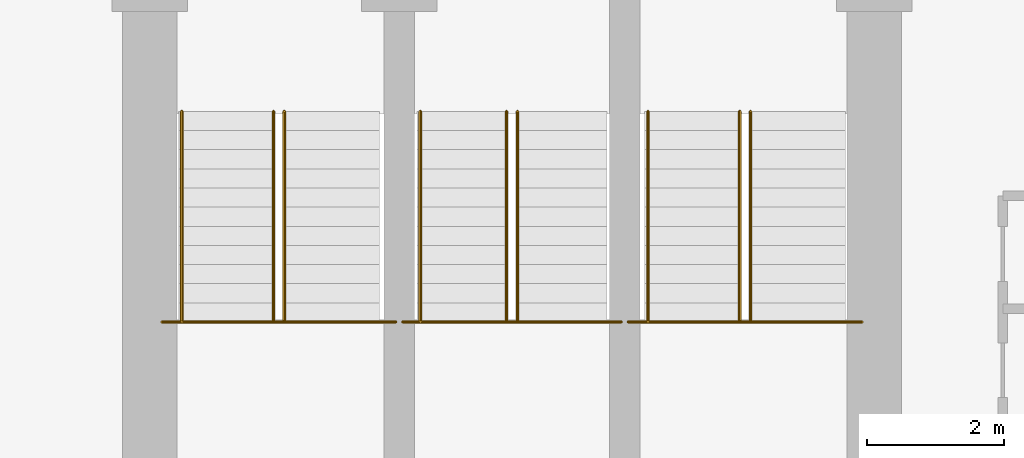
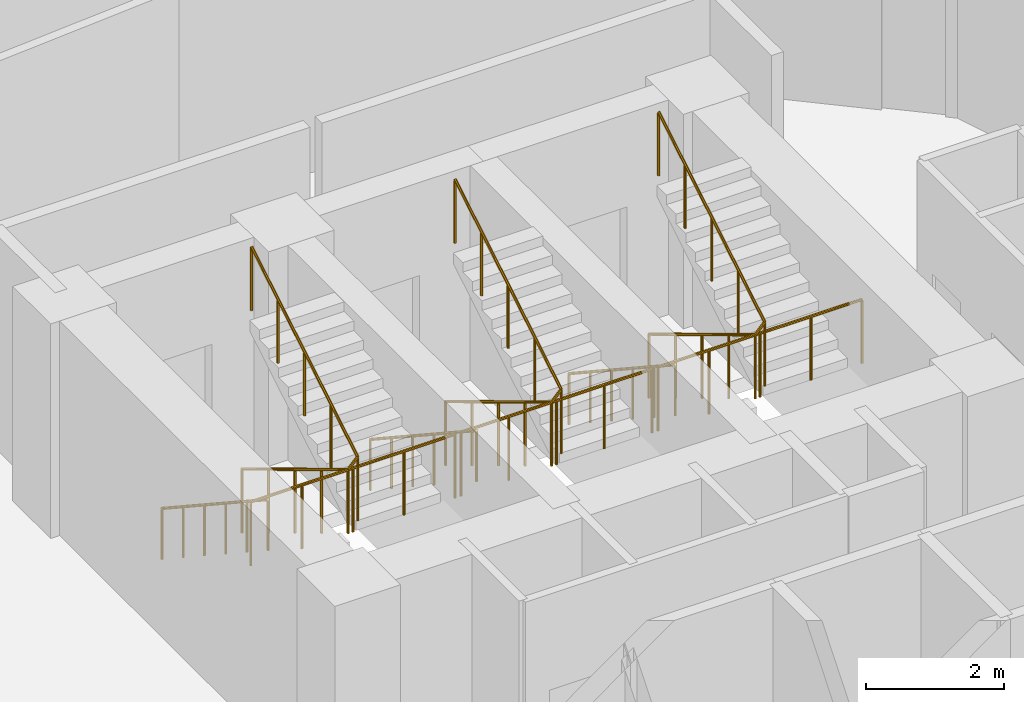
# One storey, part 25 of 25: 9 railings.
"""IFC4 building model written with IfcOpenShell, lengths in metres."""

from ifc_helpers import new_model, si_unit, direction, frame, origin, place, context, subcontext, project, spatial, polyline, outline, extrude, material, type_object, element, save


model = new_model("IFC4")

# Units and contexts
model_context = context("Model", 3, precision=1e-05, world=origin(), true_north=direction((0.0, 1.0)))
body_context = subcontext(model_context, "Body", "Model", "MODEL_VIEW")
ifc_project = project(units=[si_unit("LENGTHUNIT", "METRE"), si_unit("AREAUNIT", "SQUARE_METRE"), si_unit("VOLUMEUNIT", "CUBIC_METRE"), si_unit("PLANEANGLEUNIT", "RADIAN"), si_unit("MASSUNIT", "GRAM", prefix="KILO")], contexts=[model_context])

# Site, building, storey
site_placement = place(None, origin())
site = spatial("IfcSite", under=ifc_project, at=site_placement, CompositionType="ELEMENT")
building_placement = place(site_placement, origin())
building = spatial("IfcBuilding", under=site, at=building_placement, Name="Nuhasar Tower", CompositionType="ELEMENT")
storey_placement = place(building_placement, frame((0.0, 0.0, 61.5)))
storey = spatial("IfcBuildingStorey", under=building, at=storey_placement, Name="L14", CompositionType="ELEMENT", Elevation=61.5)

# Railings
ifc_material_1 = material(Name="Steel S355", Category="steel")
railing_type_1 = type_object("IfcRailingType", Name="RLG-STAIR-GUARD-1150", PredefinedType="GUARDRAIL", material=ifc_material_1)
railing_1_placement = place(storey_placement, frame((33.8798828125, 32.205078125, 2.02490234375)))
element("IfcRailing", 1, at=railing_1_placement, inside=storey, type_object=railing_type_1, Name="L14 Stair ST-01 Guardrail LND", PredefinedType="GUARDRAIL", context=body_context, shape_type="SweptSolid", body=[
    extrude(outline(polyline([(0.024169921875, 0.0), (0.01708984375, 0.01708984375), (0.0, 0.024169921875), (-0.01708984375, 0.01708984375), (-0.024169921875, 0.0), (-0.01708984375, -0.01708984375), (0.0, -0.024169921875), (0.01708984375, -0.01708984375), (0.024169921875, 0.0)])), frame((0.0, 0.0, 1.1259765625), z_axis=(1.0, 0.0, 0.0), x_axis=(0.0, 1.0, 0.0)), (0.0, 0.0, 1.0), 3.420166015625),
    extrude(outline(polyline([(0.02099609375, 0.0), (0.014892578125, 0.014892578125), (0.0, 0.02099609375), (-0.014892578125, 0.014892578125), (-0.02099609375, 0.0), (-0.014892578125, -0.014892578125), (0.0, -0.02099609375), (0.014892578125, -0.014892578125), (0.02099609375, 0.0)])), origin(), (0.0, 0.0, 1.0), 1.101806640625),
    extrude(outline(polyline([(0.02099609375, 0.0), (0.014892578125, 0.014892578125), (0.0, 0.02099609375), (-0.014892578125, 0.014892578125), (-0.02099609375, 0.0), (-0.014892578125, -0.014892578125), (0.0, -0.02099609375), (0.014892578125, -0.014892578125), (0.02099609375, 0.0)])), frame((0.85498046875, 0.0, 0.0)), (0.0, 0.0, 1.0), 1.101806640625),
    extrude(outline(polyline([(0.02099609375, 0.0), (0.014892578125, 0.014892578125), (0.0, 0.02099609375), (-0.014892578125, 0.014892578125), (-0.02099609375, 0.0), (-0.014892578125, -0.014892578125), (0.0, -0.02099609375), (0.014892578125, -0.014892578125), (0.02099609375, 0.0)])), frame((1.7099609375, 0.0, 0.0)), (0.0, 0.0, 1.0), 1.101806640625),
    extrude(outline(polyline([(0.02099609375, 0.0), (0.014892578125, 0.014892578125), (0.0, 0.02099609375), (-0.014892578125, 0.014892578125), (-0.02099609375, 0.0), (-0.014892578125, -0.014892578125), (0.0, -0.02099609375), (0.014892578125, -0.014892578125), (0.02099609375, 0.0)])), frame((2.565185546875, 0.0, 0.0)), (0.0, 0.0, 1.0), 1.101806640625),
    extrude(outline(polyline([(0.02099609375, 0.0), (0.014892578125, 0.014892578125), (0.0, 0.02099609375), (-0.014892578125, 0.014892578125), (-0.02099609375, 0.0), (-0.014892578125, -0.014892578125), (0.0, -0.02099609375), (0.014892578125, -0.014892578125), (0.02099609375, 0.0)])), frame((3.420166015625, 0.0, 0.0)), (0.0, 0.0, 1.0), 1.101806640625),
])
railing_2_placement = place(storey_placement, frame((35.510009765625, 35.284912109375, 0.1689453125)))
element("IfcRailing", 2, at=railing_2_placement, inside=storey, type_object=railing_type_1, Name="L14 Stair ST-01 Guardrail SLT", PredefinedType="GUARDRAIL", context=body_context, shape_type="SweptSolid", body=[
    extrude(outline(polyline([(0.024169921875, 0.0), (0.01708984375, 0.01708984375), (0.0, 0.024169921875), (-0.01708984375, 0.01708984375), (-0.024169921875, 0.0), (-0.01708984375, -0.01708984375), (0.0, -0.024169921875), (0.01708984375, -0.01708984375), (0.024169921875, 0.0)])), frame((0.0, 0.0, 1.1259765625), z_axis=(0.0, -0.856502863198, 0.516142272377), x_axis=(1.0, 0.0, 0.0)), (0.0, 0.0, 1.0), 3.595703125),
    extrude(outline(polyline([(0.024169921875, 0.0), (0.01708984375, 0.01708984375), (0.0, 0.024169921875), (-0.01708984375, 0.01708984375), (-0.024169921875, 0.0), (-0.01708984375, -0.01708984375), (0.0, -0.024169921875), (0.01708984375, -0.01708984375), (0.024169921875, 0.0)])), frame((0.0, -3.079833984375, 2.98193359375), z_axis=(0.686900628141, 0.0, 0.726751351605), x_axis=(0.0, 1.0, 0.0)), (0.0, 0.0, 1.0), 0.23291015625),
    extrude(outline(polyline([(0.024169921875, 0.0), (0.01708984375, 0.01708984375), (0.0, 0.024169921875), (-0.01708984375, 0.01708984375), (-0.024169921875, 0.0), (-0.01708984375, -0.01708984375), (0.0, -0.024169921875), (0.01708984375, -0.01708984375), (0.024169921875, 0.0)])), frame((0.159912109375, -3.079833984375, 3.15087890625), z_axis=(0.0, 0.856502863198, 0.516142272377), x_axis=(-1.0, 0.0, 0.0)), (0.0, 0.0, 1.0), 3.595703125),
    extrude(outline(polyline([(0.02099609375, 0.0), (0.014892578125, 0.014892578125), (0.0, 0.02099609375), (-0.014892578125, 0.014892578125), (-0.02099609375, 0.0), (-0.014892578125, -0.014892578125), (0.0, -0.02099609375), (0.014892578125, -0.014892578125), (0.02099609375, 0.0)])), origin(), (0.0, 0.0, 1.0), 1.101806640625),
    extrude(outline(polyline([(0.02099609375, 0.0), (0.014892578125, 0.014892578125), (0.0, 0.02099609375), (-0.014892578125, 0.014892578125), (-0.02099609375, 0.0), (-0.014892578125, -0.014892578125), (0.0, -0.02099609375), (0.014892578125, -0.014892578125), (0.02099609375, 0.0)])), frame((0.0, -0.77001953125, 0.4638671875)), (0.0, 0.0, 1.0), 1.101806640625),
    extrude(outline(polyline([(0.02099609375, 0.0), (0.014892578125, 0.014892578125), (0.0, 0.02099609375), (-0.014892578125, 0.014892578125), (-0.02099609375, 0.0), (-0.014892578125, -0.014892578125), (0.0, -0.02099609375), (0.014892578125, -0.014892578125), (0.02099609375, 0.0)])), frame((0.0, -1.5400390625, 0.927978515625)), (0.0, 0.0, 1.0), 1.101806640625),
    extrude(outline(polyline([(0.02099609375, 0.0), (0.014892578125, 0.014892578125), (0.0, 0.02099609375), (-0.014892578125, 0.014892578125), (-0.02099609375, 0.0), (-0.014892578125, -0.014892578125), (0.0, -0.02099609375), (0.014892578125, -0.014892578125), (0.02099609375, 0.0)])), frame((0.0, -2.309814453125, 1.39208984375)), (0.0, 0.0, 1.0), 1.101806640625),
    extrude(outline(polyline([(0.02099609375, 0.0), (0.014892578125, 0.014892578125), (0.0, 0.02099609375), (-0.014892578125, 0.014892578125), (-0.02099609375, 0.0), (-0.014892578125, -0.014892578125), (0.0, -0.02099609375), (0.014892578125, -0.014892578125), (0.02099609375, 0.0)])), frame((0.0, -3.079833984375, 1.85595703125)), (0.0, 0.0, 1.0), 1.101806640625),
    extrude(outline(polyline([(0.02099609375, 0.0), (0.014892578125, 0.014892578125), (0.0, 0.02099609375), (-0.014892578125, 0.014892578125), (-0.02099609375, 0.0), (-0.014892578125, -0.014892578125), (0.0, -0.02099609375), (0.014892578125, -0.014892578125), (0.02099609375, 0.0)])), frame((0.159912109375, -3.079833984375, 2.025146484375)), (0.0, 0.0, 1.0), 1.101806640625),
    extrude(outline(polyline([(0.02099609375, 0.0), (0.014892578125, 0.014892578125), (0.0, 0.02099609375), (-0.014892578125, 0.014892578125), (-0.02099609375, 0.0), (-0.014892578125, -0.014892578125), (0.0, -0.02099609375), (0.014892578125, -0.014892578125), (0.02099609375, 0.0)])), frame((0.159912109375, -2.309814453125, 2.4892578125)), (0.0, 0.0, 1.0), 1.101806640625),
    extrude(outline(polyline([(0.02099609375, 0.0), (0.014892578125, 0.014892578125), (0.0, 0.02099609375), (-0.014892578125, 0.014892578125), (-0.02099609375, 0.0), (-0.014892578125, -0.014892578125), (0.0, -0.02099609375), (0.014892578125, -0.014892578125), (0.02099609375, 0.0)])), frame((0.159912109375, -1.5400390625, 2.953125)), (0.0, 0.0, 1.0), 1.101806640625),
    extrude(outline(polyline([(0.02099609375, 0.0), (0.014892578125, 0.014892578125), (0.0, 0.02099609375), (-0.014892578125, 0.014892578125), (-0.02099609375, 0.0), (-0.014892578125, -0.014892578125), (0.0, -0.02099609375), (0.014892578125, -0.014892578125), (0.02099609375, 0.0)])), frame((0.159912109375, -0.77001953125, 3.4169921875)), (0.0, 0.0, 1.0), 1.101806640625),
    extrude(outline(polyline([(0.02099609375, 0.0), (0.014892578125, 0.014892578125), (0.0, 0.02099609375), (-0.014892578125, 0.014892578125), (-0.02099609375, 0.0), (-0.014892578125, -0.014892578125), (0.0, -0.02099609375), (0.014892578125, -0.014892578125), (0.02099609375, 0.0)])), frame((0.159912109375, 0.0, 3.881103515625)), (0.0, 0.0, 1.0), 1.101806640625),
])
railing_3_placement = place(storey_placement, frame((37.39990234375, 32.205078125, 2.02490234375)))
element("IfcRailing", 3, at=railing_3_placement, inside=storey, type_object=railing_type_1, Name="L14 Stair ST-03 Guardrail LND", PredefinedType="GUARDRAIL", context=body_context, shape_type="SweptSolid", body=[
    extrude(outline(polyline([(0.024169921875, 0.0), (0.01708984375, 0.01708984375), (0.0, 0.024169921875), (-0.01708984375, 0.01708984375), (-0.024169921875, 0.0), (-0.01708984375, -0.01708984375), (0.0, -0.024169921875), (0.01708984375, -0.01708984375), (0.024169921875, 0.0)])), frame((0.0, 0.0, 1.1259765625), z_axis=(1.0, 0.0, 0.0), x_axis=(0.0, 1.0, 0.0)), (0.0, 0.0, 1.0), 3.2001953125),
    extrude(outline(polyline([(0.02099609375, 0.0), (0.014892578125, 0.014892578125), (0.0, 0.02099609375), (-0.014892578125, 0.014892578125), (-0.02099609375, 0.0), (-0.014892578125, -0.014892578125), (0.0, -0.02099609375), (0.014892578125, -0.014892578125), (0.02099609375, 0.0)])), origin(), (0.0, 0.0, 1.0), 1.101806640625),
    extrude(outline(polyline([(0.02099609375, 0.0), (0.014892578125, 0.014892578125), (0.0, 0.02099609375), (-0.014892578125, 0.014892578125), (-0.02099609375, 0.0), (-0.014892578125, -0.014892578125), (0.0, -0.02099609375), (0.014892578125, -0.014892578125), (0.02099609375, 0.0)])), frame((0.800048828125, 0.0, 0.0)), (0.0, 0.0, 1.0), 1.101806640625),
    extrude(outline(polyline([(0.02099609375, 0.0), (0.014892578125, 0.014892578125), (0.0, 0.02099609375), (-0.014892578125, 0.014892578125), (-0.02099609375, 0.0), (-0.014892578125, -0.014892578125), (0.0, -0.02099609375), (0.014892578125, -0.014892578125), (0.02099609375, 0.0)])), frame((1.60009765625, 0.0, 0.0)), (0.0, 0.0, 1.0), 1.101806640625),
    extrude(outline(polyline([(0.02099609375, 0.0), (0.014892578125, 0.014892578125), (0.0, 0.02099609375), (-0.014892578125, 0.014892578125), (-0.02099609375, 0.0), (-0.014892578125, -0.014892578125), (0.0, -0.02099609375), (0.014892578125, -0.014892578125), (0.02099609375, 0.0)])), frame((2.400146484375, 0.0, 0.0)), (0.0, 0.0, 1.0), 1.101806640625),
    extrude(outline(polyline([(0.02099609375, 0.0), (0.014892578125, 0.014892578125), (0.0, 0.02099609375), (-0.014892578125, 0.014892578125), (-0.02099609375, 0.0), (-0.014892578125, -0.014892578125), (0.0, -0.02099609375), (0.014892578125, -0.014892578125), (0.02099609375, 0.0)])), frame((3.2001953125, 0.0, 0.0)), (0.0, 0.0, 1.0), 1.101806640625),
])
railing_4_placement = place(storey_placement, frame((38.919921875, 35.284912109375, 0.1689453125)))
element("IfcRailing", 4, at=railing_4_placement, inside=storey, type_object=railing_type_1, Name="L14 Stair ST-03 Guardrail SLT", PredefinedType="GUARDRAIL", context=body_context, shape_type="SweptSolid", body=[
    extrude(outline(polyline([(0.024169921875, 0.0), (0.01708984375, 0.01708984375), (0.0, 0.024169921875), (-0.01708984375, 0.01708984375), (-0.024169921875, 0.0), (-0.01708984375, -0.01708984375), (0.0, -0.024169921875), (0.01708984375, -0.01708984375), (0.024169921875, 0.0)])), frame((0.0, 0.0, 1.1259765625), z_axis=(0.0, -0.856502863198, 0.516142272377), x_axis=(1.0, 0.0, 0.0)), (0.0, 0.0, 1.0), 3.595703125),
    extrude(outline(polyline([(0.024169921875, 0.0), (0.01708984375, 0.01708984375), (0.0, 0.024169921875), (-0.01708984375, 0.01708984375), (-0.024169921875, 0.0), (-0.01708984375, -0.01708984375), (0.0, -0.024169921875), (0.01708984375, -0.01708984375), (0.024169921875, 0.0)])), frame((0.0, -3.079833984375, 2.98193359375), z_axis=(0.687453921059, 0.0, 0.726227998924), x_axis=(0.0, 1.0, 0.0)), (0.0, 0.0, 1.0), 0.23291015625),
    extrude(outline(polyline([(0.024169921875, 0.0), (0.01708984375, 0.01708984375), (0.0, 0.024169921875), (-0.01708984375, 0.01708984375), (-0.024169921875, 0.0), (-0.01708984375, -0.01708984375), (0.0, -0.024169921875), (0.01708984375, -0.01708984375), (0.024169921875, 0.0)])), frame((0.16015625, -3.079833984375, 3.15087890625), z_axis=(0.0, 0.856502863198, 0.516142272377), x_axis=(-1.0, 0.0, 0.0)), (0.0, 0.0, 1.0), 3.595703125),
    extrude(outline(polyline([(0.02099609375, 0.0), (0.014892578125, 0.014892578125), (0.0, 0.02099609375), (-0.014892578125, 0.014892578125), (-0.02099609375, 0.0), (-0.014892578125, -0.014892578125), (0.0, -0.02099609375), (0.014892578125, -0.014892578125), (0.02099609375, 0.0)])), origin(), (0.0, 0.0, 1.0), 1.101806640625),
    extrude(outline(polyline([(0.02099609375, 0.0), (0.014892578125, 0.014892578125), (0.0, 0.02099609375), (-0.014892578125, 0.014892578125), (-0.02099609375, 0.0), (-0.014892578125, -0.014892578125), (0.0, -0.02099609375), (0.014892578125, -0.014892578125), (0.02099609375, 0.0)])), frame((0.0, -0.77001953125, 0.4638671875)), (0.0, 0.0, 1.0), 1.101806640625),
    extrude(outline(polyline([(0.02099609375, 0.0), (0.014892578125, 0.014892578125), (0.0, 0.02099609375), (-0.014892578125, 0.014892578125), (-0.02099609375, 0.0), (-0.014892578125, -0.014892578125), (0.0, -0.02099609375), (0.014892578125, -0.014892578125), (0.02099609375, 0.0)])), frame((0.0, -1.5400390625, 0.927978515625)), (0.0, 0.0, 1.0), 1.101806640625),
    extrude(outline(polyline([(0.02099609375, 0.0), (0.014892578125, 0.014892578125), (0.0, 0.02099609375), (-0.014892578125, 0.014892578125), (-0.02099609375, 0.0), (-0.014892578125, -0.014892578125), (0.0, -0.02099609375), (0.014892578125, -0.014892578125), (0.02099609375, 0.0)])), frame((0.0, -2.309814453125, 1.39208984375)), (0.0, 0.0, 1.0), 1.101806640625),
    extrude(outline(polyline([(0.02099609375, 0.0), (0.014892578125, 0.014892578125), (0.0, 0.02099609375), (-0.014892578125, 0.014892578125), (-0.02099609375, 0.0), (-0.014892578125, -0.014892578125), (0.0, -0.02099609375), (0.014892578125, -0.014892578125), (0.02099609375, 0.0)])), frame((0.0, -3.079833984375, 1.85595703125)), (0.0, 0.0, 1.0), 1.101806640625),
    extrude(outline(polyline([(0.02099609375, 0.0), (0.014892578125, 0.014892578125), (0.0, 0.02099609375), (-0.014892578125, 0.014892578125), (-0.02099609375, 0.0), (-0.014892578125, -0.014892578125), (0.0, -0.02099609375), (0.014892578125, -0.014892578125), (0.02099609375, 0.0)])), frame((0.16015625, -3.079833984375, 2.025146484375)), (0.0, 0.0, 1.0), 1.101806640625),
    extrude(outline(polyline([(0.02099609375, 0.0), (0.014892578125, 0.014892578125), (0.0, 0.02099609375), (-0.014892578125, 0.014892578125), (-0.02099609375, 0.0), (-0.014892578125, -0.014892578125), (0.0, -0.02099609375), (0.014892578125, -0.014892578125), (0.02099609375, 0.0)])), frame((0.16015625, -2.309814453125, 2.4892578125)), (0.0, 0.0, 1.0), 1.101806640625),
    extrude(outline(polyline([(0.02099609375, 0.0), (0.014892578125, 0.014892578125), (0.0, 0.02099609375), (-0.014892578125, 0.014892578125), (-0.02099609375, 0.0), (-0.014892578125, -0.014892578125), (0.0, -0.02099609375), (0.014892578125, -0.014892578125), (0.02099609375, 0.0)])), frame((0.16015625, -1.5400390625, 2.953125)), (0.0, 0.0, 1.0), 1.101806640625),
    extrude(outline(polyline([(0.02099609375, 0.0), (0.014892578125, 0.014892578125), (0.0, 0.02099609375), (-0.014892578125, 0.014892578125), (-0.02099609375, 0.0), (-0.014892578125, -0.014892578125), (0.0, -0.02099609375), (0.014892578125, -0.014892578125), (0.02099609375, 0.0)])), frame((0.16015625, -0.77001953125, 3.4169921875)), (0.0, 0.0, 1.0), 1.101806640625),
    extrude(outline(polyline([(0.02099609375, 0.0), (0.014892578125, 0.014892578125), (0.0, 0.02099609375), (-0.014892578125, 0.014892578125), (-0.02099609375, 0.0), (-0.014892578125, -0.014892578125), (0.0, -0.02099609375), (0.014892578125, -0.014892578125), (0.02099609375, 0.0)])), frame((0.16015625, 0.0, 3.881103515625)), (0.0, 0.0, 1.0), 1.101806640625),
])
railing_5_placement = place(storey_placement, frame((40.699951171875, 32.205078125, 2.02490234375)))
element("IfcRailing", 5, at=railing_5_placement, inside=storey, type_object=railing_type_1, Name="L14 Stair ST-02 Guardrail LND", PredefinedType="GUARDRAIL", context=body_context, shape_type="SweptSolid", body=[
    extrude(outline(polyline([(0.024169921875, 0.0), (0.01708984375, 0.01708984375), (0.0, 0.024169921875), (-0.01708984375, 0.01708984375), (-0.024169921875, 0.0), (-0.01708984375, -0.01708984375), (0.0, -0.024169921875), (0.01708984375, -0.01708984375), (0.024169921875, 0.0)])), frame((0.0, 0.0, 1.1259765625), z_axis=(1.0, 0.0, 0.0), x_axis=(0.0, 1.0, 0.0)), (0.0, 0.0, 1.0), 3.420166015625),
    extrude(outline(polyline([(0.02099609375, 0.0), (0.014892578125, 0.014892578125), (0.0, 0.02099609375), (-0.014892578125, 0.014892578125), (-0.02099609375, 0.0), (-0.014892578125, -0.014892578125), (0.0, -0.02099609375), (0.014892578125, -0.014892578125), (0.02099609375, 0.0)])), origin(), (0.0, 0.0, 1.0), 1.101806640625),
    extrude(outline(polyline([(0.02099609375, 0.0), (0.014892578125, 0.014892578125), (0.0, 0.02099609375), (-0.014892578125, 0.014892578125), (-0.02099609375, 0.0), (-0.014892578125, -0.014892578125), (0.0, -0.02099609375), (0.014892578125, -0.014892578125), (0.02099609375, 0.0)])), frame((0.85498046875, 0.0, 0.0)), (0.0, 0.0, 1.0), 1.101806640625),
    extrude(outline(polyline([(0.02099609375, 0.0), (0.014892578125, 0.014892578125), (0.0, 0.02099609375), (-0.014892578125, 0.014892578125), (-0.02099609375, 0.0), (-0.014892578125, -0.014892578125), (0.0, -0.02099609375), (0.014892578125, -0.014892578125), (0.02099609375, 0.0)])), frame((1.7099609375, 0.0, 0.0)), (0.0, 0.0, 1.0), 1.101806640625),
    extrude(outline(polyline([(0.02099609375, 0.0), (0.014892578125, 0.014892578125), (0.0, 0.02099609375), (-0.014892578125, 0.014892578125), (-0.02099609375, 0.0), (-0.014892578125, -0.014892578125), (0.0, -0.02099609375), (0.014892578125, -0.014892578125), (0.02099609375, 0.0)])), frame((2.565185546875, 0.0, 0.0)), (0.0, 0.0, 1.0), 1.101806640625),
    extrude(outline(polyline([(0.02099609375, 0.0), (0.014892578125, 0.014892578125), (0.0, 0.02099609375), (-0.014892578125, 0.014892578125), (-0.02099609375, 0.0), (-0.014892578125, -0.014892578125), (0.0, -0.02099609375), (0.014892578125, -0.014892578125), (0.02099609375, 0.0)])), frame((3.420166015625, 0.0, 0.0)), (0.0, 0.0, 1.0), 1.101806640625),
])
railing_6_placement = place(storey_placement, frame((42.330078125, 35.284912109375, 0.1689453125)))
element("IfcRailing", 6, at=railing_6_placement, inside=storey, type_object=railing_type_1, Name="L14 Stair ST-02 Guardrail SLT", PredefinedType="GUARDRAIL", context=body_context, shape_type="SweptSolid", body=[
    extrude(outline(polyline([(0.024169921875, 0.0), (0.01708984375, 0.01708984375), (0.0, 0.024169921875), (-0.01708984375, 0.01708984375), (-0.024169921875, 0.0), (-0.01708984375, -0.01708984375), (0.0, -0.024169921875), (0.01708984375, -0.01708984375), (0.024169921875, 0.0)])), frame((0.0, 0.0, 1.1259765625), z_axis=(0.0, -0.856502863198, 0.516142272377), x_axis=(1.0, 0.0, 0.0)), (0.0, 0.0, 1.0), 3.595703125),
    extrude(outline(polyline([(0.024169921875, 0.0), (0.01708984375, 0.01708984375), (0.0, 0.024169921875), (-0.01708984375, 0.01708984375), (-0.024169921875, 0.0), (-0.01708984375, -0.01708984375), (0.0, -0.024169921875), (0.01708984375, -0.01708984375), (0.024169921875, 0.0)])), frame((0.0, -3.079833984375, 2.98193359375), z_axis=(0.686900628141, 0.0, 0.726751351605), x_axis=(0.0, 1.0, 0.0)), (0.0, 0.0, 1.0), 0.23291015625),
    extrude(outline(polyline([(0.024169921875, 0.0), (0.01708984375, 0.01708984375), (0.0, 0.024169921875), (-0.01708984375, 0.01708984375), (-0.024169921875, 0.0), (-0.01708984375, -0.01708984375), (0.0, -0.024169921875), (0.01708984375, -0.01708984375), (0.024169921875, 0.0)])), frame((0.159912109375, -3.079833984375, 3.15087890625), z_axis=(0.0, 0.856502863198, 0.516142272377), x_axis=(-1.0, 0.0, 0.0)), (0.0, 0.0, 1.0), 3.595703125),
    extrude(outline(polyline([(0.02099609375, 0.0), (0.014892578125, 0.014892578125), (0.0, 0.02099609375), (-0.014892578125, 0.014892578125), (-0.02099609375, 0.0), (-0.014892578125, -0.014892578125), (0.0, -0.02099609375), (0.014892578125, -0.014892578125), (0.02099609375, 0.0)])), origin(), (0.0, 0.0, 1.0), 1.101806640625),
    extrude(outline(polyline([(0.02099609375, 0.0), (0.014892578125, 0.014892578125), (0.0, 0.02099609375), (-0.014892578125, 0.014892578125), (-0.02099609375, 0.0), (-0.014892578125, -0.014892578125), (0.0, -0.02099609375), (0.014892578125, -0.014892578125), (0.02099609375, 0.0)])), frame((0.0, -0.77001953125, 0.4638671875)), (0.0, 0.0, 1.0), 1.101806640625),
    extrude(outline(polyline([(0.02099609375, 0.0), (0.014892578125, 0.014892578125), (0.0, 0.02099609375), (-0.014892578125, 0.014892578125), (-0.02099609375, 0.0), (-0.014892578125, -0.014892578125), (0.0, -0.02099609375), (0.014892578125, -0.014892578125), (0.02099609375, 0.0)])), frame((0.0, -1.5400390625, 0.927978515625)), (0.0, 0.0, 1.0), 1.101806640625),
    extrude(outline(polyline([(0.02099609375, 0.0), (0.014892578125, 0.014892578125), (0.0, 0.02099609375), (-0.014892578125, 0.014892578125), (-0.02099609375, 0.0), (-0.014892578125, -0.014892578125), (0.0, -0.02099609375), (0.014892578125, -0.014892578125), (0.02099609375, 0.0)])), frame((0.0, -2.309814453125, 1.39208984375)), (0.0, 0.0, 1.0), 1.101806640625),
    extrude(outline(polyline([(0.02099609375, 0.0), (0.014892578125, 0.014892578125), (0.0, 0.02099609375), (-0.014892578125, 0.014892578125), (-0.02099609375, 0.0), (-0.014892578125, -0.014892578125), (0.0, -0.02099609375), (0.014892578125, -0.014892578125), (0.02099609375, 0.0)])), frame((0.0, -3.079833984375, 1.85595703125)), (0.0, 0.0, 1.0), 1.101806640625),
    extrude(outline(polyline([(0.02099609375, 0.0), (0.014892578125, 0.014892578125), (0.0, 0.02099609375), (-0.014892578125, 0.014892578125), (-0.02099609375, 0.0), (-0.014892578125, -0.014892578125), (0.0, -0.02099609375), (0.014892578125, -0.014892578125), (0.02099609375, 0.0)])), frame((0.159912109375, -3.079833984375, 2.025146484375)), (0.0, 0.0, 1.0), 1.101806640625),
    extrude(outline(polyline([(0.02099609375, 0.0), (0.014892578125, 0.014892578125), (0.0, 0.02099609375), (-0.014892578125, 0.014892578125), (-0.02099609375, 0.0), (-0.014892578125, -0.014892578125), (0.0, -0.02099609375), (0.014892578125, -0.014892578125), (0.02099609375, 0.0)])), frame((0.159912109375, -2.309814453125, 2.4892578125)), (0.0, 0.0, 1.0), 1.101806640625),
    extrude(outline(polyline([(0.02099609375, 0.0), (0.014892578125, 0.014892578125), (0.0, 0.02099609375), (-0.014892578125, 0.014892578125), (-0.02099609375, 0.0), (-0.014892578125, -0.014892578125), (0.0, -0.02099609375), (0.014892578125, -0.014892578125), (0.02099609375, 0.0)])), frame((0.159912109375, -1.5400390625, 2.953125)), (0.0, 0.0, 1.0), 1.101806640625),
    extrude(outline(polyline([(0.02099609375, 0.0), (0.014892578125, 0.014892578125), (0.0, 0.02099609375), (-0.014892578125, 0.014892578125), (-0.02099609375, 0.0), (-0.014892578125, -0.014892578125), (0.0, -0.02099609375), (0.014892578125, -0.014892578125), (0.02099609375, 0.0)])), frame((0.159912109375, -0.77001953125, 3.4169921875)), (0.0, 0.0, 1.0), 1.101806640625),
    extrude(outline(polyline([(0.02099609375, 0.0), (0.014892578125, 0.014892578125), (0.0, 0.02099609375), (-0.014892578125, 0.014892578125), (-0.02099609375, 0.0), (-0.014892578125, -0.014892578125), (0.0, -0.02099609375), (0.014892578125, -0.014892578125), (0.02099609375, 0.0)])), frame((0.159912109375, 0.0, 3.881103515625)), (0.0, 0.0, 1.0), 1.101806640625),
])
ifc_material_2 = material(Name="Stainless Steel 316L", Category="steel")
railing_type_2 = type_object("IfcRailingType", Name="RLG-STAIR-HAND-920", PredefinedType="HANDRAIL", material=ifc_material_2)
railing_7_placement = place(storey_placement, frame((34.169921875, 35.284912109375, 0.1689453125)))
element("IfcRailing", 7, at=railing_7_placement, inside=storey, type_object=railing_type_2, Name="L14 Stair ST-01 Handrail HND1", PredefinedType="HANDRAIL", context=body_context, shape_type="SweptSolid", body=[
    extrude(outline(polyline([(0.024169921875, 0.0), (0.01708984375, 0.01708984375), (0.0, 0.024169921875), (-0.01708984375, 0.01708984375), (-0.024169921875, 0.0), (-0.01708984375, -0.01708984375), (0.0, -0.024169921875), (0.01708984375, -0.01708984375), (0.024169921875, 0.0)])), frame((0.0, 0.0, 0.89599609375), z_axis=(0.0, -0.835549111106, 0.549415765091), x_axis=(1.0, 0.0, 0.0)), (0.0, 0.0, 1.0), 3.68603515625),
    extrude(outline(polyline([(0.02099609375, 0.0), (0.014892578125, 0.014892578125), (0.0, 0.02099609375), (-0.014892578125, 0.014892578125), (-0.02099609375, 0.0), (-0.014892578125, -0.014892578125), (0.0, -0.02099609375), (0.014892578125, -0.014892578125), (0.02099609375, 0.0)])), origin(), (0.0, 0.0, 1.0), 0.871826171875),
    extrude(outline(polyline([(0.02099609375, 0.0), (0.014892578125, 0.014892578125), (0.0, 0.02099609375), (-0.014892578125, 0.014892578125), (-0.02099609375, 0.0), (-0.014892578125, -0.014892578125), (0.0, -0.02099609375), (0.014892578125, -0.014892578125), (0.02099609375, 0.0)])), frame((0.0, -0.615966796875, 0.405029296875)), (0.0, 0.0, 1.0), 0.871826171875),
    extrude(outline(polyline([(0.02099609375, 0.0), (0.014892578125, 0.014892578125), (0.0, 0.02099609375), (-0.014892578125, 0.014892578125), (-0.02099609375, 0.0), (-0.014892578125, -0.014892578125), (0.0, -0.02099609375), (0.014892578125, -0.014892578125), (0.02099609375, 0.0)])), frame((0.0, -1.23193359375, 0.81005859375)), (0.0, 0.0, 1.0), 0.871826171875),
    extrude(outline(polyline([(0.02099609375, 0.0), (0.014892578125, 0.014892578125), (0.0, 0.02099609375), (-0.014892578125, 0.014892578125), (-0.02099609375, 0.0), (-0.014892578125, -0.014892578125), (0.0, -0.02099609375), (0.014892578125, -0.014892578125), (0.02099609375, 0.0)])), frame((0.0, -1.847900390625, 1.215087890625)), (0.0, 0.0, 1.0), 0.871826171875),
    extrude(outline(polyline([(0.02099609375, 0.0), (0.014892578125, 0.014892578125), (0.0, 0.02099609375), (-0.014892578125, 0.014892578125), (-0.02099609375, 0.0), (-0.014892578125, -0.014892578125), (0.0, -0.02099609375), (0.014892578125, -0.014892578125), (0.02099609375, 0.0)])), frame((0.0, -2.4638671875, 1.6201171875)), (0.0, 0.0, 1.0), 0.871826171875),
    extrude(outline(polyline([(0.02099609375, 0.0), (0.014892578125, 0.014892578125), (0.0, 0.02099609375), (-0.014892578125, 0.014892578125), (-0.02099609375, 0.0), (-0.014892578125, -0.014892578125), (0.0, -0.02099609375), (0.014892578125, -0.014892578125), (0.02099609375, 0.0)])), frame((0.0, -3.079833984375, 2.025146484375)), (0.0, 0.0, 1.0), 0.871826171875),
])
railing_8_placement = place(storey_placement, frame((37.659912109375, 35.284912109375, 0.1689453125)))
element("IfcRailing", 8, at=railing_8_placement, inside=storey, type_object=railing_type_2, Name="L14 Stair ST-03 Handrail HND1", PredefinedType="HANDRAIL", context=body_context, shape_type="SweptSolid", body=[
    extrude(outline(polyline([(0.024169921875, 0.0), (0.01708984375, 0.01708984375), (0.0, 0.024169921875), (-0.01708984375, 0.01708984375), (-0.024169921875, 0.0), (-0.01708984375, -0.01708984375), (0.0, -0.024169921875), (0.01708984375, -0.01708984375), (0.024169921875, 0.0)])), frame((0.0, 0.0, 0.89599609375), z_axis=(0.0, -0.835549111106, 0.549415765091), x_axis=(1.0, 0.0, 0.0)), (0.0, 0.0, 1.0), 3.68603515625),
    extrude(outline(polyline([(0.02099609375, 0.0), (0.014892578125, 0.014892578125), (0.0, 0.02099609375), (-0.014892578125, 0.014892578125), (-0.02099609375, 0.0), (-0.014892578125, -0.014892578125), (0.0, -0.02099609375), (0.014892578125, -0.014892578125), (0.02099609375, 0.0)])), origin(), (0.0, 0.0, 1.0), 0.871826171875),
    extrude(outline(polyline([(0.02099609375, 0.0), (0.014892578125, 0.014892578125), (0.0, 0.02099609375), (-0.014892578125, 0.014892578125), (-0.02099609375, 0.0), (-0.014892578125, -0.014892578125), (0.0, -0.02099609375), (0.014892578125, -0.014892578125), (0.02099609375, 0.0)])), frame((0.0, -0.615966796875, 0.405029296875)), (0.0, 0.0, 1.0), 0.871826171875),
    extrude(outline(polyline([(0.02099609375, 0.0), (0.014892578125, 0.014892578125), (0.0, 0.02099609375), (-0.014892578125, 0.014892578125), (-0.02099609375, 0.0), (-0.014892578125, -0.014892578125), (0.0, -0.02099609375), (0.014892578125, -0.014892578125), (0.02099609375, 0.0)])), frame((0.0, -1.23193359375, 0.81005859375)), (0.0, 0.0, 1.0), 0.871826171875),
    extrude(outline(polyline([(0.02099609375, 0.0), (0.014892578125, 0.014892578125), (0.0, 0.02099609375), (-0.014892578125, 0.014892578125), (-0.02099609375, 0.0), (-0.014892578125, -0.014892578125), (0.0, -0.02099609375), (0.014892578125, -0.014892578125), (0.02099609375, 0.0)])), frame((0.0, -1.847900390625, 1.215087890625)), (0.0, 0.0, 1.0), 0.871826171875),
    extrude(outline(polyline([(0.02099609375, 0.0), (0.014892578125, 0.014892578125), (0.0, 0.02099609375), (-0.014892578125, 0.014892578125), (-0.02099609375, 0.0), (-0.014892578125, -0.014892578125), (0.0, -0.02099609375), (0.014892578125, -0.014892578125), (0.02099609375, 0.0)])), frame((0.0, -2.4638671875, 1.6201171875)), (0.0, 0.0, 1.0), 0.871826171875),
    extrude(outline(polyline([(0.02099609375, 0.0), (0.014892578125, 0.014892578125), (0.0, 0.02099609375), (-0.014892578125, 0.014892578125), (-0.02099609375, 0.0), (-0.014892578125, -0.014892578125), (0.0, -0.02099609375), (0.014892578125, -0.014892578125), (0.02099609375, 0.0)])), frame((0.0, -3.079833984375, 2.025146484375)), (0.0, 0.0, 1.0), 0.871826171875),
])
railing_9_placement = place(storey_placement, frame((40.989990234375, 35.284912109375, 0.1689453125)))
element("IfcRailing", 9, at=railing_9_placement, inside=storey, type_object=railing_type_2, Name="L14 Stair ST-02 Handrail HND1", PredefinedType="HANDRAIL", context=body_context, shape_type="SweptSolid", body=[
    extrude(outline(polyline([(0.024169921875, 0.0), (0.01708984375, 0.01708984375), (0.0, 0.024169921875), (-0.01708984375, 0.01708984375), (-0.024169921875, 0.0), (-0.01708984375, -0.01708984375), (0.0, -0.024169921875), (0.01708984375, -0.01708984375), (0.024169921875, 0.0)])), frame((0.0, 0.0, 0.89599609375), z_axis=(0.0, -0.835549111106, 0.549415765091), x_axis=(1.0, 0.0, 0.0)), (0.0, 0.0, 1.0), 3.68603515625),
    extrude(outline(polyline([(0.02099609375, 0.0), (0.014892578125, 0.014892578125), (0.0, 0.02099609375), (-0.014892578125, 0.014892578125), (-0.02099609375, 0.0), (-0.014892578125, -0.014892578125), (0.0, -0.02099609375), (0.014892578125, -0.014892578125), (0.02099609375, 0.0)])), origin(), (0.0, 0.0, 1.0), 0.871826171875),
    extrude(outline(polyline([(0.02099609375, 0.0), (0.014892578125, 0.014892578125), (0.0, 0.02099609375), (-0.014892578125, 0.014892578125), (-0.02099609375, 0.0), (-0.014892578125, -0.014892578125), (0.0, -0.02099609375), (0.014892578125, -0.014892578125), (0.02099609375, 0.0)])), frame((0.0, -0.615966796875, 0.405029296875)), (0.0, 0.0, 1.0), 0.871826171875),
    extrude(outline(polyline([(0.02099609375, 0.0), (0.014892578125, 0.014892578125), (0.0, 0.02099609375), (-0.014892578125, 0.014892578125), (-0.02099609375, 0.0), (-0.014892578125, -0.014892578125), (0.0, -0.02099609375), (0.014892578125, -0.014892578125), (0.02099609375, 0.0)])), frame((0.0, -1.23193359375, 0.81005859375)), (0.0, 0.0, 1.0), 0.871826171875),
    extrude(outline(polyline([(0.02099609375, 0.0), (0.014892578125, 0.014892578125), (0.0, 0.02099609375), (-0.014892578125, 0.014892578125), (-0.02099609375, 0.0), (-0.014892578125, -0.014892578125), (0.0, -0.02099609375), (0.014892578125, -0.014892578125), (0.02099609375, 0.0)])), frame((0.0, -1.847900390625, 1.215087890625)), (0.0, 0.0, 1.0), 0.871826171875),
    extrude(outline(polyline([(0.02099609375, 0.0), (0.014892578125, 0.014892578125), (0.0, 0.02099609375), (-0.014892578125, 0.014892578125), (-0.02099609375, 0.0), (-0.014892578125, -0.014892578125), (0.0, -0.02099609375), (0.014892578125, -0.014892578125), (0.02099609375, 0.0)])), frame((0.0, -2.4638671875, 1.6201171875)), (0.0, 0.0, 1.0), 0.871826171875),
    extrude(outline(polyline([(0.02099609375, 0.0), (0.014892578125, 0.014892578125), (0.0, 0.02099609375), (-0.014892578125, 0.014892578125), (-0.02099609375, 0.0), (-0.014892578125, -0.014892578125), (0.0, -0.02099609375), (0.014892578125, -0.014892578125), (0.02099609375, 0.0)])), frame((0.0, -3.079833984375, 2.025146484375)), (0.0, 0.0, 1.0), 0.871826171875),
])

save(model, "model.ifc")
